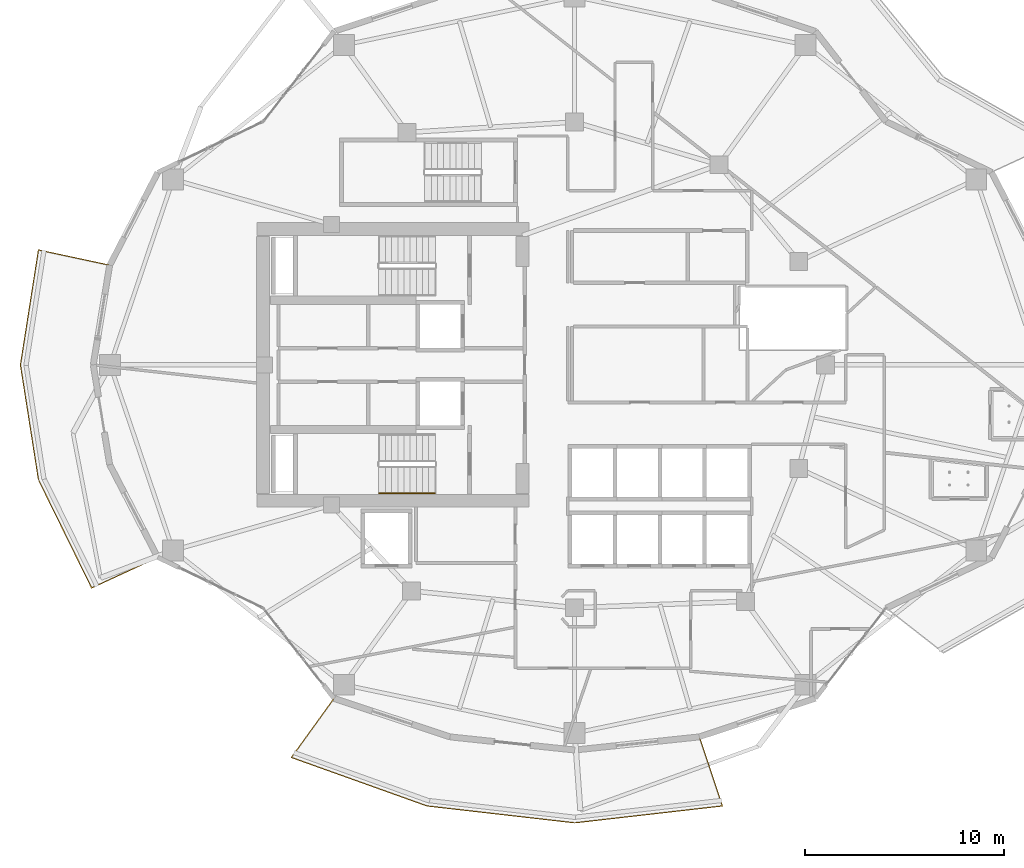
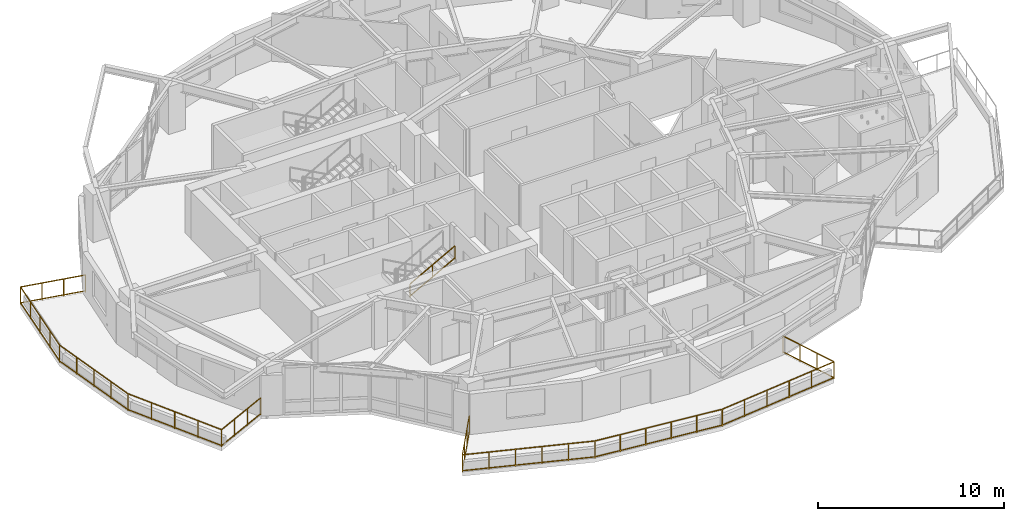
# One storey, part 15 of 18: 3 railings.
"""IFC4 building model written with IfcOpenShell, lengths in metres."""

from ifc_helpers import new_model, si_unit, direction, frame, origin, origin_2d, place, context, subcontext, project, spatial, rectangle, extrude, material, type_object, element, save


model = new_model("IFC4")

# Units and contexts
model_context = context("Model", 3, precision=1e-05, world=origin(), true_north=direction((0.0, 1.0)))
body_context = subcontext(model_context, "Body", "Model", "MODEL_VIEW")
ifc_project = project(units=[si_unit("LENGTHUNIT", "METRE"), si_unit("AREAUNIT", "SQUARE_METRE"), si_unit("VOLUMEUNIT", "CUBIC_METRE"), si_unit("PLANEANGLEUNIT", "RADIAN"), si_unit("MASSUNIT", "GRAM", prefix="KILO")], contexts=[model_context])

# Site, building, storey
site_placement = place(None, origin())
site = spatial("IfcSite", under=ifc_project, at=site_placement, CompositionType="ELEMENT")
building_placement = place(site_placement, origin())
building = spatial("IfcBuilding", under=site, at=building_placement, Name="Kolvaren Gate Tower and Convention Centre", CompositionType="ELEMENT")
storey_placement = place(building_placement, frame((0.0, 0.0, 115.5)))
storey = spatial("IfcBuildingStorey", under=building, at=storey_placement, Name="L28", CompositionType="ELEMENT", Elevation=115.5)

# Railings
ifc_material = material(Name="Brushed Stainless Steel Grade 316L", Category="steel")
railing_type_1 = type_object("IfcRailingType", Name="ARCH-RL-GUARD-1150", PredefinedType="GUARDRAIL", material=ifc_material)
railing_1_placement = place(storey_placement, frame((6.76171875, 32.008056640625, 0.0)))
element("IfcRailing", 1, at=railing_1_placement, inside=storey, type_object=railing_type_1, Name="Tower L28 Terrace Perimeter Guardrail GR-2", PredefinedType="GUARDRAIL", context=body_context, shape_type="SweptSolid", body=[
    extrude(rectangle(XDim=0.048095703125, YDim=0.048095703125, at=origin_2d()), frame((-0.02734375, 0.005859375, 1.1259765625), z_axis=(-0.977788745232, 0.209592866525, 0.0), x_axis=(-0.209592866525, -0.977788745232, 0.0)), (0.0, 0.0, 1.0), 3.603759765625),
    extrude(rectangle(XDim=0.048095703125, YDim=0.048095703125, at=origin_2d()), frame((-0.02734375, 0.005859375, 0.083984375), z_axis=(-0.977788745232, 0.209592866525, 0.0), x_axis=(-0.209592866525, -0.977788745232, 0.0)), (0.0, 0.0, 1.0), 3.603759765625),
    extrude(rectangle(XDim=0.048095703125, YDim=0.048095703125, at=origin_2d()), frame((-3.5830078125, 0.739501953125, 1.1259765625), z_axis=(-0.154903030247, -0.987929679289, 0.0), x_axis=(0.987929679289, -0.154903030247, 0.0)), (0.0, 0.0, 1.0), 5.78955078125),
    extrude(rectangle(XDim=0.048095703125, YDim=0.048095703125, at=origin_2d()), frame((-3.5830078125, 0.739501953125, 0.083984375), z_axis=(-0.154903030247, -0.987929679289, 0.0), x_axis=(0.987929679289, -0.154903030247, 0.0)), (0.0, 0.0, 1.0), 5.78955078125),
    extrude(rectangle(XDim=0.048095703125, YDim=0.048095703125, at=origin_2d()), frame((-4.479736328125, -5.03564453125, 1.1259765625), z_axis=(0.154903030247, -0.987929679289, 0.0), x_axis=(0.987929679289, 0.154903030247, 0.0)), (0.0, 0.0, 1.0), 5.78955078125),
    extrude(rectangle(XDim=0.048095703125, YDim=0.048095703125, at=origin_2d()), frame((-4.479736328125, -5.03564453125, 0.083984375), z_axis=(0.154903030247, -0.987929679289, 0.0), x_axis=(0.987929679289, 0.154903030247, 0.0)), (0.0, 0.0, 1.0), 5.78955078125),
    extrude(rectangle(XDim=0.048095703125, YDim=0.048095703125, at=origin_2d()), frame((-3.566162109375, -10.808349609375, 1.1259765625), z_axis=(0.441237167293, -0.897390529368, 0.0), x_axis=(0.897390529368, 0.441237167293, 0.0)), (0.0, 0.0, 1.0), 5.999755859375),
    extrude(rectangle(XDim=0.048095703125, YDim=0.048095703125, at=origin_2d()), frame((-3.566162109375, -10.808349609375, 0.083984375), z_axis=(0.441237167293, -0.897390529368, 0.0), x_axis=(0.897390529368, 0.441237167293, 0.0)), (0.0, 0.0, 1.0), 5.999755859375),
    extrude(rectangle(XDim=0.048095703125, YDim=0.048095703125, at=origin_2d()), frame((-0.881103515625, -16.2060546875, 1.1259765625), z_axis=(0.907846116663, 0.419303503993, 0.0), x_axis=(-0.419303503993, 0.907846116663, 0.0)), (0.0, 0.0, 1.0), 3.60400390625),
    extrude(rectangle(XDim=0.048095703125, YDim=0.048095703125, at=origin_2d()), frame((-0.881103515625, -16.2060546875, 0.083984375), z_axis=(0.907846116663, 0.419303503993, 0.0), x_axis=(-0.419303503993, 0.907846116663, 0.0)), (0.0, 0.0, 1.0), 3.60400390625),
    extrude(rectangle(XDim=0.0419921875, YDim=0.0419921875, at=origin_2d()), origin(), (0.0, 0.0, 1.0), 1.14990234375),
    extrude(rectangle(XDim=0.0419921875, YDim=0.0419921875, at=origin_2d()), frame((-3.57861328125, 0.76708984375, 0.0)), (0.0, 0.0, 1.0), 1.14990234375),
    extrude(rectangle(XDim=0.0419921875, YDim=0.0419921875, at=origin_2d()), frame((-1.19287109375, 0.255615234375, 0.0)), (0.0, 0.0, 1.0), 1.099853515625),
    extrude(rectangle(XDim=0.0419921875, YDim=0.0419921875, at=origin_2d()), frame((-2.3857421875, 0.511474609375, 0.0)), (0.0, 0.0, 1.0), 1.099853515625),
    extrude(rectangle(XDim=0.0419921875, YDim=0.0419921875, at=origin_2d()), frame((-4.484130859375, -5.008056640625, 0.0)), (0.0, 0.0, 1.0), 1.14990234375),
    extrude(rectangle(XDim=0.0419921875, YDim=0.0419921875, at=origin_2d()), frame((-3.804931640625, -0.6767578125, 0.0)), (0.0, 0.0, 1.0), 1.099853515625),
    extrude(rectangle(XDim=0.0419921875, YDim=0.0419921875, at=origin_2d()), frame((-4.03125, -2.12060546875, 0.0)), (0.0, 0.0, 1.0), 1.099853515625),
    extrude(rectangle(XDim=0.0419921875, YDim=0.0419921875, at=origin_2d()), frame((-4.2578125, -3.564208984375, 0.0)), (0.0, 0.0, 1.0), 1.099853515625),
    extrude(rectangle(XDim=0.0419921875, YDim=0.0419921875, at=origin_2d()), frame((-3.57861328125, -10.783203125, 0.0)), (0.0, 0.0, 1.0), 1.14990234375),
    extrude(rectangle(XDim=0.0419921875, YDim=0.0419921875, at=origin_2d()), frame((-4.2578125, -6.451904296875, 0.0)), (0.0, 0.0, 1.0), 1.099853515625),
    extrude(rectangle(XDim=0.0419921875, YDim=0.0419921875, at=origin_2d()), frame((-4.03125, -7.8955078125, 0.0)), (0.0, 0.0, 1.0), 1.099853515625),
    extrude(rectangle(XDim=0.0419921875, YDim=0.0419921875, at=origin_2d()), frame((-3.804931640625, -9.33935546875, 0.0)), (0.0, 0.0, 1.0), 1.099853515625),
    extrude(rectangle(XDim=0.0419921875, YDim=0.0419921875, at=origin_2d()), frame((-0.906494140625, -16.2177734375, 0.0)), (0.0, 0.0, 1.0), 1.14990234375),
    extrude(rectangle(XDim=0.0419921875, YDim=0.0419921875, at=origin_2d()), frame((-2.91064453125, -12.141845703125, 0.0)), (0.0, 0.0, 1.0), 1.099853515625),
    extrude(rectangle(XDim=0.0419921875, YDim=0.0419921875, at=origin_2d()), frame((-2.24267578125, -13.50048828125, 0.0)), (0.0, 0.0, 1.0), 1.099853515625),
    extrude(rectangle(XDim=0.0419921875, YDim=0.0419921875, at=origin_2d()), frame((-1.574462890625, -14.859130859375, 0.0)), (0.0, 0.0, 1.0), 1.099853515625),
    extrude(rectangle(XDim=0.0419921875, YDim=0.0419921875, at=origin_2d()), frame((2.416259765625, -14.68310546875, 0.0)), (0.0, 0.0, 1.0), 1.14990234375),
    extrude(rectangle(XDim=0.0419921875, YDim=0.0419921875, at=origin_2d()), frame((0.201171875, -15.706298828125, 0.0)), (0.0, 0.0, 1.0), 1.099853515625),
    extrude(rectangle(XDim=0.0419921875, YDim=0.0419921875, at=origin_2d()), frame((1.30859375, -15.194580078125, 0.0)), (0.0, 0.0, 1.0), 1.099853515625),
])
railing_2_placement = place(storey_placement, frame((18.03125, 10.242431640625, 0.0)))
element("IfcRailing", 2, at=railing_2_placement, inside=storey, type_object=railing_type_1, Name="Tower L28 Terrace Perimeter Guardrail GR-3", PredefinedType="GUARDRAIL", context=body_context, shape_type="SweptSolid", body=[
    extrude(rectangle(XDim=0.048095703125, YDim=0.048095703125, at=origin_2d()), frame((-0.016357421875, -0.022705078125, 1.1259765625), z_axis=(-0.585212870465, -0.810879705161, 0.0), x_axis=(0.810879705161, -0.585212870465, 0.0)), (0.0, 0.0, 1.0), 3.603759765625),
    extrude(rectangle(XDim=0.048095703125, YDim=0.048095703125, at=origin_2d()), frame((-0.016357421875, -0.022705078125, 0.083984375), z_axis=(-0.585212870465, -0.810879705161, 0.0), x_axis=(0.810879705161, -0.585212870465, 0.0)), (0.0, 0.0, 1.0), 3.603759765625),
    extrude(rectangle(XDim=0.048095703125, YDim=0.048095703125, at=origin_2d()), frame((-2.115478515625, -2.977294921875, 1.1259765625), z_axis=(0.941628873241, -0.336652736627, 0.0), x_axis=(0.336652736627, 0.941628873241, 0.0)), (0.0, 0.0, 1.0), 7.17919921875),
    extrude(rectangle(XDim=0.048095703125, YDim=0.048095703125, at=origin_2d()), frame((-2.115478515625, -2.977294921875, 0.083984375), z_axis=(0.941628873241, -0.336652736627, 0.0), x_axis=(0.336652736627, 0.941628873241, 0.0)), (0.0, 0.0, 1.0), 7.17919921875),
    extrude(rectangle(XDim=0.048095703125, YDim=0.048095703125, at=origin_2d()), frame((4.698974609375, -5.40673828125, 1.1259765625), z_axis=(0.993523927361, -0.113623086387, 0.0), x_axis=(0.113623086387, 0.993523927361, 0.0)), (0.0, 0.0, 1.0), 7.414794921875),
    extrude(rectangle(XDim=0.048095703125, YDim=0.048095703125, at=origin_2d()), frame((4.698974609375, -5.40673828125, 0.083984375), z_axis=(0.993523927361, -0.113623086387, 0.0), x_axis=(0.113623086387, 0.993523927361, 0.0)), (0.0, 0.0, 1.0), 7.414794921875),
    extrude(rectangle(XDim=0.048095703125, YDim=0.048095703125, at=origin_2d()), frame((12.12158203125, -6.249267578125, 1.1259765625), z_axis=(0.993523927361, 0.113623086387, 0.0), x_axis=(-0.113623086387, 0.993523927361, 0.0)), (0.0, 0.0, 1.0), 7.414794921875),
    extrude(rectangle(XDim=0.048095703125, YDim=0.048095703125, at=origin_2d()), frame((12.12158203125, -6.249267578125, 0.083984375), z_axis=(0.993523927361, 0.113623086387, 0.0), x_axis=(-0.113623086387, 0.993523927361, 0.0)), (0.0, 0.0, 1.0), 7.414794921875),
    extrude(rectangle(XDim=0.048095703125, YDim=0.048095703125, at=origin_2d()), frame((19.507568359375, -5.376953125, 1.1259765625), z_axis=(-0.317588247294, 0.948228719867, 0.0), x_axis=(-0.948228719867, -0.317588247294, 0.0)), (0.0, 0.0, 1.0), 3.603759765625),
    extrude(rectangle(XDim=0.048095703125, YDim=0.048095703125, at=origin_2d()), frame((19.507568359375, -5.376953125, 0.083984375), z_axis=(-0.317588247294, 0.948228719867, 0.0), x_axis=(-0.948228719867, -0.317588247294, 0.0)), (0.0, 0.0, 1.0), 3.603759765625),
    extrude(rectangle(XDim=0.0419921875, YDim=0.0419921875, at=origin_2d()), origin(), (0.0, 0.0, 1.0), 1.14990234375),
    extrude(rectangle(XDim=0.0419921875, YDim=0.0419921875, at=origin_2d()), frame((-2.141845703125, -2.9677734375, 0.0)), (0.0, 0.0, 1.0), 1.14990234375),
    extrude(rectangle(XDim=0.0419921875, YDim=0.0419921875, at=origin_2d()), frame((-0.7138671875, -0.9892578125, 0.0)), (0.0, 0.0, 1.0), 1.099853515625),
    extrude(rectangle(XDim=0.0419921875, YDim=0.0419921875, at=origin_2d()), frame((-1.427978515625, -1.978515625, 0.0)), (0.0, 0.0, 1.0), 1.099853515625),
    extrude(rectangle(XDim=0.0419921875, YDim=0.0419921875, at=origin_2d()), frame((4.671142578125, -5.403564453125, 0.0)), (0.0, 0.0, 1.0), 1.14990234375),
    extrude(rectangle(XDim=0.0419921875, YDim=0.0419921875, at=origin_2d()), frame((-0.779296875, -3.454833984375, 0.0)), (0.0, 0.0, 1.0), 1.099853515625),
    extrude(rectangle(XDim=0.0419921875, YDim=0.0419921875, at=origin_2d()), frame((0.583251953125, -3.942138671875, 0.0)), (0.0, 0.0, 1.0), 1.099853515625),
    extrude(rectangle(XDim=0.0419921875, YDim=0.0419921875, at=origin_2d()), frame((1.946044921875, -4.42919921875, 0.0)), (0.0, 0.0, 1.0), 1.099853515625),
    extrude(rectangle(XDim=0.0419921875, YDim=0.0419921875, at=origin_2d()), frame((3.30859375, -4.91650390625, 0.0)), (0.0, 0.0, 1.0), 1.099853515625),
    extrude(rectangle(XDim=0.0419921875, YDim=0.0419921875, at=origin_2d()), frame((12.09375, -6.25244140625, 0.0)), (0.0, 0.0, 1.0), 1.14990234375),
    extrude(rectangle(XDim=0.0419921875, YDim=0.0419921875, at=origin_2d()), frame((6.15576171875, -5.5732421875, 0.0)), (0.0, 0.0, 1.0), 1.099853515625),
    extrude(rectangle(XDim=0.0419921875, YDim=0.0419921875, at=origin_2d()), frame((7.64013671875, -5.7431640625, 0.0)), (0.0, 0.0, 1.0), 1.099853515625),
    extrude(rectangle(XDim=0.0419921875, YDim=0.0419921875, at=origin_2d()), frame((9.124755859375, -5.912841796875, 0.0)), (0.0, 0.0, 1.0), 1.099853515625),
    extrude(rectangle(XDim=0.0419921875, YDim=0.0419921875, at=origin_2d()), frame((10.609130859375, -6.082763671875, 0.0)), (0.0, 0.0, 1.0), 1.099853515625),
    extrude(rectangle(XDim=0.0419921875, YDim=0.0419921875, at=origin_2d()), frame((19.516357421875, -5.403564453125, 0.0)), (0.0, 0.0, 1.0), 1.14990234375),
    extrude(rectangle(XDim=0.0419921875, YDim=0.0419921875, at=origin_2d()), frame((13.578369140625, -6.082763671875, 0.0)), (0.0, 0.0, 1.0), 1.099853515625),
    extrude(rectangle(XDim=0.0419921875, YDim=0.0419921875, at=origin_2d()), frame((15.062744140625, -5.912841796875, 0.0)), (0.0, 0.0, 1.0), 1.099853515625),
    extrude(rectangle(XDim=0.0419921875, YDim=0.0419921875, at=origin_2d()), frame((16.54736328125, -5.7431640625, 0.0)), (0.0, 0.0, 1.0), 1.099853515625),
    extrude(rectangle(XDim=0.0419921875, YDim=0.0419921875, at=origin_2d()), frame((18.03173828125, -5.5732421875, 0.0)), (0.0, 0.0, 1.0), 1.099853515625),
    extrude(rectangle(XDim=0.0419921875, YDim=0.0419921875, at=origin_2d()), frame((18.35400390625, -1.93310546875, 0.0)), (0.0, 0.0, 1.0), 1.14990234375),
    extrude(rectangle(XDim=0.0419921875, YDim=0.0419921875, at=origin_2d()), frame((19.12890625, -4.246826171875, 0.0)), (0.0, 0.0, 1.0), 1.099853515625),
    extrude(rectangle(XDim=0.0419921875, YDim=0.0419921875, at=origin_2d()), frame((18.741455078125, -3.08984375, 0.0)), (0.0, 0.0, 1.0), 1.099853515625),
])
railing_type_2 = type_object("IfcRailingType", Name="ARCH-RL-HANDRAIL-920", PredefinedType="HANDRAIL", material=ifc_material)
railing_3_placement = place(storey_placement, frame((20.31005859375, 20.550048828125, 1.8701171875)))
element("IfcRailing", 3, at=railing_3_placement, inside=storey, type_object=railing_type_2, Name="L28 ST-T2 stair handrail 2", PredefinedType="HANDRAIL", context=body_context, shape_type="SweptSolid", body=[
    extrude(rectangle(XDim=0.048095703125, YDim=0.048095703125, at=origin_2d()), frame((0.0, 0.0, 0.8759765625), z_axis=(0.876843711699, 0.0, 0.480775524808), x_axis=(0.0, 1.0, 0.0)), (0.0, 0.0, 1.0), 3.181884765625),
    extrude(rectangle(XDim=0.048095703125, YDim=0.048095703125, at=origin_2d()), frame((0.0, 0.0, 0.083984375), z_axis=(0.876843711699, 0.0, 0.480775524808), x_axis=(0.0, 1.0, 0.0)), (0.0, 0.0, 1.0), 3.181884765625),
    extrude(rectangle(XDim=0.0419921875, YDim=0.0419921875, at=origin_2d()), origin(), (0.0, 0.0, 1.0), 0.849853515625),
    extrude(rectangle(XDim=0.0419921875, YDim=0.0419921875, at=origin_2d()), frame((2.7900390625, 0.0, 1.52978515625)), (0.0, 0.0, 1.0), 0.849853515625),
    extrude(rectangle(XDim=0.0419921875, YDim=0.0419921875, at=origin_2d()), frame((1.39501953125, 0.0, 0.764892578125)), (0.0, 0.0, 1.0), 0.849853515625),
])

save(model, "model.ifc")
